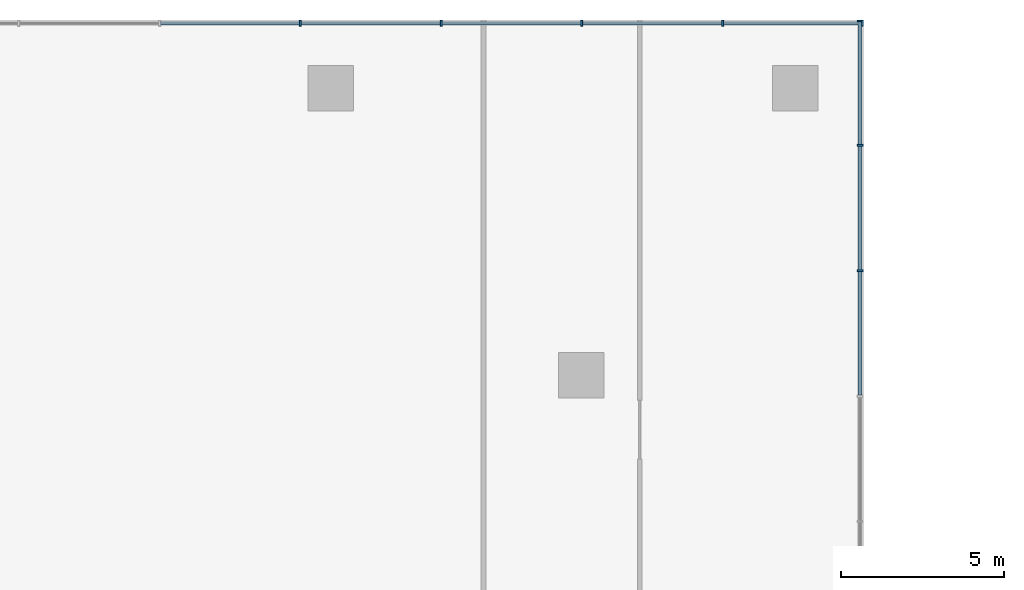
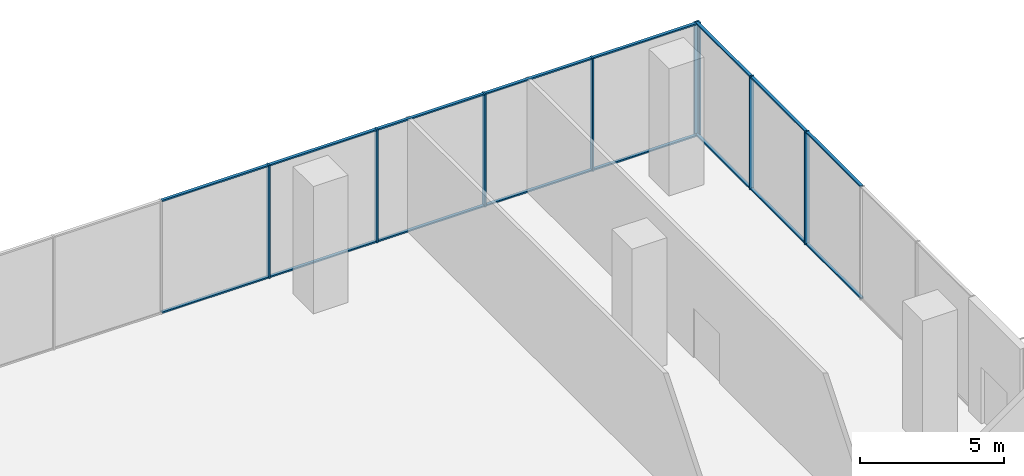
# One storey, part 11 of 23: 24 members, 2 elements without a shape of their own.
"""IFC4 building model written with IfcOpenShell, lengths in metres."""

import ifcopenshell
import ifcopenshell.guid

model = None  # the IFC model being written
_history = None  # IfcOwnerHistory: only IFC2X3 demands one
_inside = {}  # id of a spatial element -> (the spatial element, [elements in it])
_under = {}  # id of a project, library or spatial element -> (it, [spatial elements below it])
_declared = {}  # id of a project -> (the project, [libraries it declares])
_typed = {}  # id of a type object -> (the type object, [elements of that type])
_made_of = {}  # id of a material, layer set ... -> (it, [elements and type objects made of it])


def new_model(schema):
    """Start an empty IFC model of exactly this schema.

    Asked for "IFC4X3", IfcOpenShell would pick the latest addendum, in which some entities
    have other attributes; the version numbers below select the first issue.
    IFC2X3 requires an IfcOwnerHistory on every rooted entity: one is made here for all.
    """
    global model, _history
    if schema == "IFC4X3":
        model = ifcopenshell.file(schema_version=(4, 3, 0, 0))
    else:
        model = ifcopenshell.file(schema=schema)
    _inside.clear()
    _under.clear()
    _declared.clear()
    _typed.clear()
    _made_of.clear()
    _history = None
    if model.schema == "IFC2X3":
        org = make("IfcOrganization", Name="unknown")
        user = make(
            "IfcPersonAndOrganization",
            ThePerson=make("IfcPerson", FamilyName="unknown"),
            TheOrganization=org,
        )
        app = make(
            "IfcApplication",
            ApplicationDeveloper=org,
            Version="unknown",
            ApplicationFullName="unknown",
            ApplicationIdentifier="unknown",
        )
        _history = make(
            "IfcOwnerHistory",
            OwningUser=user,
            OwningApplication=app,
            ChangeAction="ADDED",
            CreationDate=0,
        )
    return model


def make(cls, **values):
    """One entity of the class cls with the attributes given. An attribute that is None is left unset."""
    return model.create_entity(
        cls, **{name: value for name, value in values.items() if value is not None}
    )


def rooted(cls, **values):
    """An entity with a GlobalId (a new one), such as an element, a storey or a relation."""
    return make(cls, GlobalId=ifcopenshell.guid.new(), OwnerHistory=_history, **values)


def si_unit(unit_type, name, prefix=None):
    """IfcSIUnit, for example si_unit("LENGTHUNIT", "METRE", prefix="MILLI")."""
    return make("IfcSIUnit", UnitType=unit_type, Prefix=prefix, Name=name)


def assignment(units):
    """IfcUnitAssignment: the units of a project."""
    return None if units is None else make("IfcUnitAssignment", Units=units)


def point(xyz):
    """IfcCartesianPoint."""
    return None if xyz is None else make("IfcCartesianPoint", Coordinates=xyz)


def direction(xyz):
    """IfcDirection."""
    return None if xyz is None else make("IfcDirection", DirectionRatios=xyz)


def frame(location, z_axis=None, x_axis=None):
    """IfcAxis2Placement3D, a coordinate frame: its origin and axes. An axis left out is left unset."""
    return make(
        "IfcAxis2Placement3D",
        Location=point(location),
        Axis=direction(z_axis),
        RefDirection=direction(x_axis),
    )


def frame_2d(location, x_axis=None):
    """IfcAxis2Placement2D, a coordinate frame in the plane: its origin and x axis."""
    return make(
        "IfcAxis2Placement2D", Location=point(location), RefDirection=direction(x_axis)
    )


def origin():
    """The frame at (0, 0, 0) with its axes left unset."""
    return frame((0.0, 0.0, 0.0))


def origin_2d():
    """The frame at (0, 0) in the plane with its x axis left unset."""
    return frame_2d((0.0, 0.0))


def place(relative_to, where):
    """IfcLocalPlacement: puts the frame where relative to a parent placement (None: the world)."""
    return make(
        "IfcLocalPlacement", PlacementRelTo=relative_to, RelativePlacement=where
    )


def context(
    kind, dimensions, precision=None, world=None, true_north=None, identifier=None
):
    """IfcGeometricRepresentationContext, for example the 3D "Model" context."""
    return make(
        "IfcGeometricRepresentationContext",
        ContextIdentifier=identifier,
        ContextType=kind,
        CoordinateSpaceDimension=dimensions,
        Precision=precision,
        WorldCoordinateSystem=world,
        TrueNorth=true_north,
    )


def subcontext(parent, identifier, kind, view, scale=None):
    """IfcGeometricRepresentationSubContext, for example "Body" below "Model"."""
    return make(
        "IfcGeometricRepresentationSubContext",
        ContextIdentifier=identifier,
        ContextType=kind,
        ParentContext=parent,
        TargetScale=scale,
        TargetView=view,
    )


def project(units=None, contexts=None):
    """IfcProject with its units and contexts."""
    return rooted(
        "IfcProject",
        Name="project",
        RepresentationContexts=contexts,
        UnitsInContext=assignment(units),
    )


def spatial(cls, under=None, at=None, **own):
    """A site, building, storey or space (cls), placed at a placement, below another one or the project."""
    s = rooted(cls, ObjectPlacement=at, **own)
    if under is not None:
        _under.setdefault(under.id(), (under, []))[1].append(s)
    return s


def profile(cls, at=None, kind="AREA", **sizes):
    """A parametric profile (cls). Its sizes go by their IFC names, for example OverallWidth=200.0."""
    return make(cls, ProfileType=kind, Position=at, **sizes)


def rectangle(**sizes):
    """IfcRectangleProfileDef."""
    return profile("IfcRectangleProfileDef", **sizes)


def extrude(swept, where, along, depth):
    """IfcExtrudedAreaSolid: the profile swept, set in the frame where, extruded along a direction by depth."""
    return make(
        "IfcExtrudedAreaSolid",
        SweptArea=swept,
        Position=where,
        ExtrudedDirection=direction(along),
        Depth=depth,
    )


def shape(context_of_items, identifier, shape_type, items):
    """IfcShapeRepresentation: the items that make up one representation, for example the "Body"."""
    return make(
        "IfcShapeRepresentation",
        ContextOfItems=context_of_items,
        RepresentationIdentifier=identifier,
        RepresentationType=shape_type,
        Items=items,
    )


def source(mapping_origin, context_of_items, identifier, shape_type, items):
    """IfcRepresentationMap: a shape defined once, which mapped items show again and again."""
    return make(
        "IfcRepresentationMap",
        MappingOrigin=mapping_origin,
        MappedRepresentation=shape(context_of_items, identifier, shape_type, items),
    )


def transform(
    local_origin,
    x_axis=None,
    y_axis=None,
    z_axis=None,
    scale=None,
    scale2=None,
    scale3=None,
    uniform=True,
):
    """IfcCartesianTransformationOperator3D, or its non-uniform kind. x_axis, y_axis, z_axis: its Axis1, 2, 3."""
    if uniform:
        return make(
            "IfcCartesianTransformationOperator3D",
            Axis1=direction(x_axis),
            Axis2=direction(y_axis),
            LocalOrigin=point(local_origin),
            Scale=scale,
            Axis3=direction(z_axis),
        )
    return make(
        "IfcCartesianTransformationOperator3DnonUniform",
        Axis1=direction(x_axis),
        Axis2=direction(y_axis),
        LocalOrigin=point(local_origin),
        Scale=scale,
        Axis3=direction(z_axis),
        Scale2=scale2,
        Scale3=scale3,
    )


def mapped(mapping_source, mapping_target):
    """IfcMappedItem: shows the shape of a source again, moved by a transform."""
    return make(
        "IfcMappedItem", MappingSource=mapping_source, MappingTarget=mapping_target
    )


def material(Name=None, Category=None):
    """IfcMaterial."""
    return make("IfcMaterial", Name=Name, Category=Category)


def layer(
    of_material, thickness, ventilated=None, Name=None, Category=None, Priority=None
):
    """IfcMaterialLayer: one layer of a wall or slab, of a material (None: an air gap)."""
    return make(
        "IfcMaterialLayer",
        Material=of_material,
        LayerThickness=thickness,
        IsVentilated=ventilated,
        Name=Name,
        Category=Category,
        Priority=Priority,
    )


def layer_set(layers, Name=None):
    """IfcMaterialLayerSet."""
    return make("IfcMaterialLayerSet", MaterialLayers=layers, LayerSetName=Name)


def material_profile(
    of_material, cross_section, Name=None, Category=None, Priority=None
):
    """IfcMaterialProfile: a cross section and its material."""
    return make(
        "IfcMaterialProfile",
        Name=Name,
        Material=of_material,
        Profile=cross_section,
        Priority=Priority,
        Category=Category,
    )


def profile_set(profiles, Name=None, composite=None):
    """IfcMaterialProfileSet."""
    return make(
        "IfcMaterialProfileSet",
        Name=Name,
        MaterialProfiles=profiles,
        CompositeProfile=composite,
    )


def made_of(thing, what):
    """Note that an element or type object is made of a material, layer set ...; save() writes the relation."""
    if what is not None:
        _made_of.setdefault(what.id(), (what, []))[1].append(thing)
    return thing


def type_object(cls, material=None, **own):
    """A type object (cls), such as IfcWallType, which elements share."""
    return made_of(rooted(cls, **own), material)


def element(
    cls,
    number,
    at=None,
    inside=None,
    cuts=None,
    type_object=None,
    material=None,
    context=None,
    identifier="Body",
    shape_type=None,
    held_by="IfcProductDefinitionShape",
    body=None,
    shapes=None,
    **own,
):
    """One element of the class cls, such as IfcWall. Its Tag is "e" and its number.

    at: its placement. inside: the storey or other place that contains it. cuts: it is an
    opening in that element (IfcRelVoidsElement). A single representation is given by context,
    identifier, shape_type and body (its items); several are given by shapes. held_by: the class
    of the entity that holds the representations. save() writes the other relations.
    """
    e = rooted(cls, Tag="e%d" % number, ObjectPlacement=at, **own)
    if body is not None:
        shapes = [shape(context, identifier, shape_type, body)]
    if shapes is not None:
        e.Representation = make(held_by, Representations=shapes)
    if inside is not None:
        _inside.setdefault(inside.id(), (inside, []))[1].append(e)
    if cuts is not None:
        rooted(
            "IfcRelVoidsElement", RelatingBuildingElement=cuts, RelatedOpeningElement=e
        )
    if type_object is not None:
        _typed.setdefault(type_object.id(), (type_object, []))[1].append(e)
    return made_of(e, material)


def aggregate(whole, parts):
    """IfcRelAggregates: a whole, such as a stair, and the parts it consists of."""
    return rooted("IfcRelAggregates", RelatingObject=whole, RelatedObjects=parts)


def save(model, path):
    """Write the relations noted so far, then the file.

    IfcRelAggregates (storeys below a building ...), IfcRelContainedInSpatialStructure (elements
    in a storey), IfcRelDefinesByType, IfcRelAssociatesMaterial and IfcRelDeclares: one each for
    every whole, place, type object, material and project.
    """
    for whole, parts in _under.values():
        aggregate(whole, parts)
    for where, things in _inside.values():
        rooted(
            "IfcRelContainedInSpatialStructure",
            RelatedElements=things,
            RelatingStructure=where,
        )
    for kind, things in _typed.values():
        rooted("IfcRelDefinesByType", RelatedObjects=things, RelatingType=kind)
    for what, things in _made_of.values():
        rooted("IfcRelAssociatesMaterial", RelatedObjects=things, RelatingMaterial=what)
    for by, libraries in _declared.values():
        rooted("IfcRelDeclares", RelatingContext=by, RelatedDefinitions=libraries)
    model.write(path)


model = new_model("IFC4")

# Units and contexts
model_context = context("Model", 3, precision=1e-05, world=origin(), true_north=direction((0.0, 1.0)))
body_context = subcontext(model_context, "Body", "Model", "MODEL_VIEW")
ifc_project = project(units=[si_unit("LENGTHUNIT", "METRE"), si_unit("AREAUNIT", "SQUARE_METRE"), si_unit("VOLUMEUNIT", "CUBIC_METRE"), si_unit("PLANEANGLEUNIT", "RADIAN"), si_unit("MASSUNIT", "GRAM", prefix="KILO")], contexts=[model_context])

# Site, building, storey
site_placement = place(None, origin())
site = spatial("IfcSite", under=ifc_project, at=site_placement, CompositionType="ELEMENT")
building_placement = place(site_placement, origin())
building = spatial("IfcBuilding", under=site, at=building_placement, Name="Aurelian Terraces", CompositionType="ELEMENT")
storey_placement = place(building_placement, frame((0.0, 0.0, 23.7)))
storey = spatial("IfcBuildingStorey", under=building, at=storey_placement, Name="L04", CompositionType="ELEMENT", Elevation=23.7)

# Curtain wall, members
ifc_material_1 = material(Name="Anodised aluminium and clear glazing", Category="aluminium")
ifc_layer = layer(ifc_material_1, 0.2)
ifc_layer_set = layer_set([ifc_layer], Name="Winter garden glazing curtain wall")
curtain_wall_type = type_object("IfcCurtainWallType", Name="Winter garden glazing curtain wall", PredefinedType="NOTDEFINED", material=ifc_layer_set)
curtain_wall_1_placement = place(storey_placement, origin())
curtain_wall_1 = element("IfcCurtainWall", 1, at=curtain_wall_1_placement, inside=storey, type_object=curtain_wall_type, Name="Winter garden glazing L04 F04.5", PredefinedType="NOTDEFINED")
ifc_material_2 = material(Name="Anodised aluminium", Category="aluminium")
ifc_material_profile_1 = material_profile(ifc_material_2, rectangle(XDim=0.18, YDim=0.06, at=origin_2d()))
ifc_profile_set_1 = profile_set([ifc_material_profile_1], Name="Anodised aluminium")
member_type_1 = type_object("IfcMemberType", Name="Winter garden glazing mullion", PredefinedType="MULLION", material=ifc_profile_set_1)
shared_shape_1 = source(origin(), body_context, "Body", "SweptSolid", [
    extrude(rectangle(XDim=0.18, YDim=0.06, at=origin_2d()), origin(), (0.0, 0.0, 1.0), 4.8),
])
member_1_placement = place(storey_placement, frame((54.08, 64.108, 0.0), z_axis=(0.0, 0.0, 1.0), x_axis=(-1.0, 0.0, 0.0)))
member_1 = element("IfcMember", 2, at=member_1_placement, type_object=member_type_1, Name="CW6 mullion 4", PredefinedType="MULLION", context=body_context, shape_type="MappedRepresentation", body=[
    mapped(shared_shape_1, transform((0.0, 0.0, 0.0), scale=1.0)),
])
member_2_placement = place(storey_placement, frame((54.08, 67.964, 0.0), z_axis=(0.0, 0.0, 1.0), x_axis=(-1.0, 0.0, 0.0)))
member_2 = element("IfcMember", 3, at=member_2_placement, type_object=member_type_1, Name="CW6 mullion 5", PredefinedType="MULLION", context=body_context, shape_type="MappedRepresentation", body=[
    mapped(shared_shape_1, transform((0.0, 0.0, 0.0), scale=1.0)),
])
member_3_placement = place(storey_placement, frame((54.08, 71.79, 0.0), z_axis=(0.0, 0.0, 1.0), x_axis=(-1.0, 0.0, 0.0)))
member_3 = element("IfcMember", 4, at=member_3_placement, type_object=member_type_1, Name="CW6 mullion 6", PredefinedType="MULLION", context=body_context, shape_type="MappedRepresentation", body=[
    mapped(shared_shape_1, transform((0.0, 0.0, 0.0), scale=1.0)),
])

curtain_wall_2_placement = place(storey_placement, origin())
curtain_wall_2 = element("IfcCurtainWall", 5, at=curtain_wall_2_placement, inside=storey, type_object=curtain_wall_type, Name="Winter garden glazing L04 F05.1", PredefinedType="NOTDEFINED")
member_4_placement = place(storey_placement, frame((54.15, 71.72, 0.0), z_axis=(0.0, 0.0, 1.0), x_axis=(0.0, -1.0, 0.0)))
member_4 = element("IfcMember", 6, at=member_4_placement, type_object=member_type_1, Name="CW6 mullion 1", PredefinedType="MULLION", context=body_context, shape_type="MappedRepresentation", body=[
    mapped(shared_shape_1, transform((0.0, 0.0, 0.0), scale=1.0)),
])
member_5_placement = place(storey_placement, frame((49.8508, 71.72, 0.0), z_axis=(0.0, 0.0, 1.0), x_axis=(0.0, -1.0, 0.0)))
member_5 = element("IfcMember", 7, at=member_5_placement, type_object=member_type_1, Name="CW6 mullion 2", PredefinedType="MULLION", context=body_context, shape_type="MappedRepresentation", body=[
    mapped(shared_shape_1, transform((0.0, 0.0, 0.0), scale=1.0)),
])
member_6_placement = place(storey_placement, frame((45.5215, 71.72, 0.0), z_axis=(0.0, 0.0, 1.0), x_axis=(0.0, -1.0, 0.0)))
member_6 = element("IfcMember", 8, at=member_6_placement, type_object=member_type_1, Name="CW6 mullion 3", PredefinedType="MULLION", context=body_context, shape_type="MappedRepresentation", body=[
    mapped(shared_shape_1, transform((0.0, 0.0, 0.0), scale=1.0)),
])
member_7_placement = place(storey_placement, frame((41.1923, 71.72, 0.0), z_axis=(0.0, 0.0, 1.0), x_axis=(0.0, -1.0, 0.0)))
member_7 = element("IfcMember", 9, at=member_7_placement, type_object=member_type_1, Name="CW6 mullion 4", PredefinedType="MULLION", context=body_context, shape_type="MappedRepresentation", body=[
    mapped(shared_shape_1, transform((0.0, 0.0, 0.0), scale=1.0)),
])
member_8_placement = place(storey_placement, frame((36.8631, 71.72, 0.0), z_axis=(0.0, 0.0, 1.0), x_axis=(0.0, -1.0, 0.0)))
member_8 = element("IfcMember", 10, at=member_8_placement, type_object=member_type_1, Name="CW6 mullion 5", PredefinedType="MULLION", context=body_context, shape_type="MappedRepresentation", body=[
    mapped(shared_shape_1, transform((0.0, 0.0, 0.0), scale=1.0)),
])
ifc_material_profile_2 = material_profile(ifc_material_2, rectangle(XDim=0.12, YDim=0.06, at=origin_2d()))
ifc_profile_set_2 = profile_set([ifc_material_profile_2], Name="Anodised aluminium")
member_type_2 = type_object("IfcMemberType", Name="Winter garden glazing transom", PredefinedType="USERDEFINED", material=ifc_profile_set_2)
shared_shape_2 = source(origin(), body_context, "Body", "SweptSolid", [
    extrude(rectangle(XDim=0.12, YDim=0.06, at=origin_2d()), origin(), (0.0, 0.0, 1.0), 4.2392),
])
member_9_placement = place(storey_placement, frame((54.12, 71.72, 0.03), z_axis=(-1.0, 0.0, 0.0), x_axis=(0.0, -1.0, 0.0)))
member_9 = element("IfcMember", 11, at=member_9_placement, type_object=member_type_2, Name="CW6 transom 1.1", ObjectType="TRANSOM", PredefinedType="USERDEFINED", context=body_context, shape_type="MappedRepresentation", body=[
    mapped(shared_shape_2, transform((0.0, 0.0, 0.0), scale=1.0)),
])
member_10_placement = place(storey_placement, frame((54.12, 71.72, 4.77), z_axis=(-1.0, 0.0, 0.0), x_axis=(0.0, -1.0, 0.0)))
member_10 = element("IfcMember", 12, at=member_10_placement, type_object=member_type_2, Name="CW6 transom 1.2", ObjectType="TRANSOM", PredefinedType="USERDEFINED", context=body_context, shape_type="MappedRepresentation", body=[
    mapped(shared_shape_2, transform((0.0, 0.0, 0.0), scale=1.0)),
])
shared_shape_3 = source(origin(), body_context, "Body", "SweptSolid", [
    extrude(rectangle(XDim=0.12, YDim=0.06, at=origin_2d()), origin(), (0.0, 0.0, 1.0), 4.2693),
])
member_11_placement = place(storey_placement, frame((49.8208, 71.72, 0.03), z_axis=(-1.0, 0.0, 0.0), x_axis=(0.0, -1.0, 0.0)))
member_11 = element("IfcMember", 13, at=member_11_placement, type_object=member_type_2, Name="CW6 transom 2.1", ObjectType="TRANSOM", PredefinedType="USERDEFINED", context=body_context, shape_type="MappedRepresentation", body=[
    mapped(shared_shape_3, transform((0.0, 0.0, 0.0), scale=1.0)),
])
member_12_placement = place(storey_placement, frame((49.8208, 71.72, 4.77), z_axis=(-1.0, 0.0, 0.0), x_axis=(0.0, -1.0, 0.0)))
member_12 = element("IfcMember", 14, at=member_12_placement, type_object=member_type_2, Name="CW6 transom 2.2", ObjectType="TRANSOM", PredefinedType="USERDEFINED", context=body_context, shape_type="MappedRepresentation", body=[
    mapped(shared_shape_3, transform((0.0, 0.0, 0.0), scale=1.0)),
])
member_13_placement = place(storey_placement, frame((36.8331, 71.72, 0.03), z_axis=(-1.0, 0.0, 0.0), x_axis=(0.0, -1.0, 0.0)))
member_13 = element("IfcMember", 15, at=member_13_placement, type_object=member_type_2, Name="CW6 transom 5.1", ObjectType="TRANSOM", PredefinedType="USERDEFINED", context=body_context, shape_type="MappedRepresentation", body=[
    mapped(shared_shape_3, transform((0.0, 0.0, 0.0), scale=1.0)),
])
member_14_placement = place(storey_placement, frame((36.8331, 71.72, 4.77), z_axis=(-1.0, 0.0, 0.0), x_axis=(0.0, -1.0, 0.0)))
member_14 = element("IfcMember", 16, at=member_14_placement, type_object=member_type_2, Name="CW6 transom 5.2", ObjectType="TRANSOM", PredefinedType="USERDEFINED", context=body_context, shape_type="MappedRepresentation", body=[
    mapped(shared_shape_3, transform((0.0, 0.0, 0.0), scale=1.0)),
])
shared_shape_4 = source(origin(), body_context, "Body", "SweptSolid", [
    extrude(rectangle(XDim=0.12, YDim=0.06, at=origin_2d()), origin(), (0.0, 0.0, 1.0), 4.2692),
])
member_15_placement = place(storey_placement, frame((45.4915, 71.72, 0.03), z_axis=(-1.0, 0.0, 0.0), x_axis=(0.0, -1.0, 0.0)))
member_15 = element("IfcMember", 17, at=member_15_placement, type_object=member_type_2, Name="CW6 transom 3.1", ObjectType="TRANSOM", PredefinedType="USERDEFINED", context=body_context, shape_type="MappedRepresentation", body=[
    mapped(shared_shape_4, transform((0.0, 0.0, 0.0), scale=1.0)),
])
member_16_placement = place(storey_placement, frame((45.4915, 71.72, 4.77), z_axis=(-1.0, 0.0, 0.0), x_axis=(0.0, -1.0, 0.0)))
member_16 = element("IfcMember", 18, at=member_16_placement, type_object=member_type_2, Name="CW6 transom 3.2", ObjectType="TRANSOM", PredefinedType="USERDEFINED", context=body_context, shape_type="MappedRepresentation", body=[
    mapped(shared_shape_4, transform((0.0, 0.0, 0.0), scale=1.0)),
])
member_17_placement = place(storey_placement, frame((41.1623, 71.72, 0.03), z_axis=(-1.0, 0.0, 0.0), x_axis=(0.0, -1.0, 0.0)))
member_17 = element("IfcMember", 19, at=member_17_placement, type_object=member_type_2, Name="CW6 transom 4.1", ObjectType="TRANSOM", PredefinedType="USERDEFINED", context=body_context, shape_type="MappedRepresentation", body=[
    mapped(shared_shape_4, transform((0.0, 0.0, 0.0), scale=1.0)),
])
member_18_placement = place(storey_placement, frame((41.1623, 71.72, 4.77), z_axis=(-1.0, 0.0, 0.0), x_axis=(0.0, -1.0, 0.0)))
member_18 = element("IfcMember", 20, at=member_18_placement, type_object=member_type_2, Name="CW6 transom 4.2", ObjectType="TRANSOM", PredefinedType="USERDEFINED", context=body_context, shape_type="MappedRepresentation", body=[
    mapped(shared_shape_4, transform((0.0, 0.0, 0.0), scale=1.0)),
])
aggregate(curtain_wall_2, [member_4, member_5, member_6, member_7, member_8, member_9, member_10, member_11, member_12, member_15, member_16, member_17, member_18, member_13, member_14])

# Member
shared_shape_5 = source(origin(), body_context, "Body", "SweptSolid", [
    extrude(rectangle(XDim=0.12, YDim=0.06, at=origin_2d()), origin(), (0.0, 0.0, 1.0), 3.766),
])
member_19_placement = place(storey_placement, frame((54.08, 67.994, 0.03), z_axis=(0.0, 1.0, 0.0), x_axis=(-1.0, 0.0, 0.0)))
member_19 = element("IfcMember", 21, at=member_19_placement, type_object=member_type_2, Name="CW6 transom 5.1", ObjectType="TRANSOM", PredefinedType="USERDEFINED", context=body_context, shape_type="MappedRepresentation", body=[
    mapped(shared_shape_5, transform((0.0, 0.0, 0.0), scale=1.0)),
])

member_20_placement = place(storey_placement, frame((54.08, 67.994, 4.77), z_axis=(0.0, 1.0, 0.0), x_axis=(-1.0, 0.0, 0.0)))
member_20 = element("IfcMember", 22, at=member_20_placement, type_object=member_type_2, Name="CW6 transom 5.2", ObjectType="TRANSOM", PredefinedType="USERDEFINED", context=body_context, shape_type="MappedRepresentation", body=[
    mapped(shared_shape_5, transform((0.0, 0.0, 0.0), scale=1.0)),
])

shared_shape_6 = source(origin(), body_context, "Body", "SweptSolid", [
    extrude(rectangle(XDim=0.12, YDim=0.06, at=origin_2d()), origin(), (0.0, 0.0, 1.0), 3.796),
])
member_21_placement = place(storey_placement, frame((54.08, 60.282, 0.03), z_axis=(0.0, 1.0, 0.0), x_axis=(-1.0, 0.0, 0.0)))
member_21 = element("IfcMember", 23, at=member_21_placement, type_object=member_type_2, Name="CW6 transom 3.1", ObjectType="TRANSOM", PredefinedType="USERDEFINED", context=body_context, shape_type="MappedRepresentation", body=[
    mapped(shared_shape_6, transform((0.0, 0.0, 0.0), scale=1.0)),
])

member_22_placement = place(storey_placement, frame((54.08, 60.282, 4.77), z_axis=(0.0, 1.0, 0.0), x_axis=(-1.0, 0.0, 0.0)))
member_22 = element("IfcMember", 24, at=member_22_placement, type_object=member_type_2, Name="CW6 transom 3.2", ObjectType="TRANSOM", PredefinedType="USERDEFINED", context=body_context, shape_type="MappedRepresentation", body=[
    mapped(shared_shape_6, transform((0.0, 0.0, 0.0), scale=1.0)),
])

member_23_placement = place(storey_placement, frame((54.08, 64.138, 0.03), z_axis=(0.0, 1.0, 0.0), x_axis=(-1.0, 0.0, 0.0)))
member_23 = element("IfcMember", 25, at=member_23_placement, type_object=member_type_2, Name="CW6 transom 4.1", ObjectType="TRANSOM", PredefinedType="USERDEFINED", context=body_context, shape_type="MappedRepresentation", body=[
    mapped(shared_shape_6, transform((0.0, 0.0, 0.0), scale=1.0)),
])

member_24_placement = place(storey_placement, frame((54.08, 64.138, 4.77), z_axis=(0.0, 1.0, 0.0), x_axis=(-1.0, 0.0, 0.0)))
member_24 = element("IfcMember", 26, at=member_24_placement, type_object=member_type_2, Name="CW6 transom 4.2", ObjectType="TRANSOM", PredefinedType="USERDEFINED", context=body_context, shape_type="MappedRepresentation", body=[
    mapped(shared_shape_6, transform((0.0, 0.0, 0.0), scale=1.0)),
])

aggregate(curtain_wall_1, [member_1, member_2, member_3, member_21, member_22, member_23, member_24, member_19, member_20])

save(model, "model.ifc")
